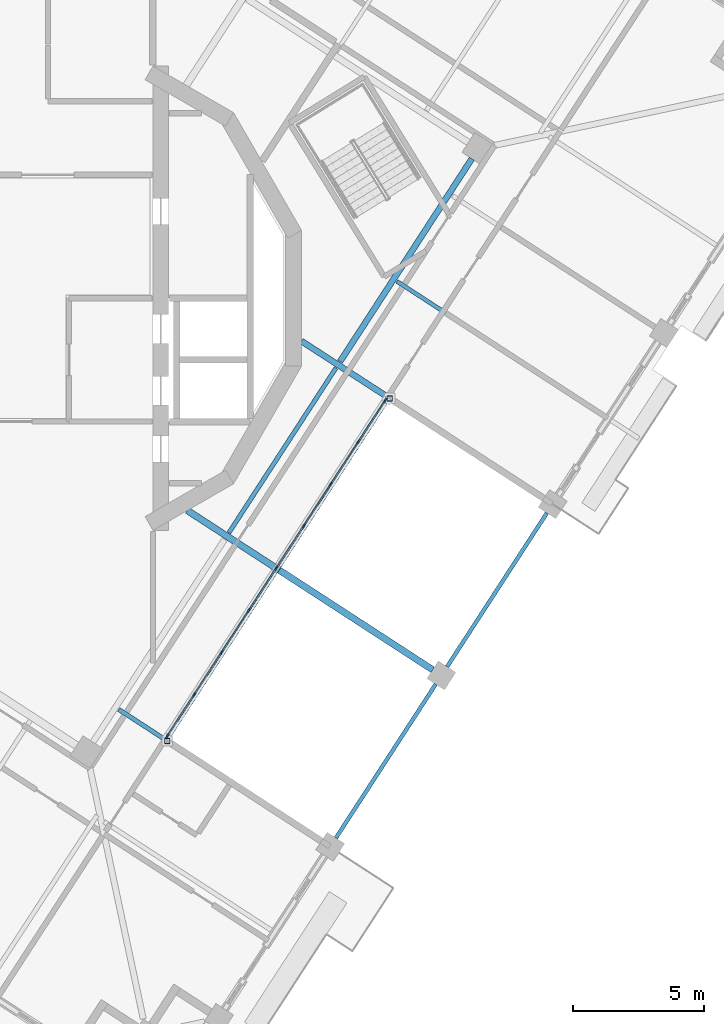
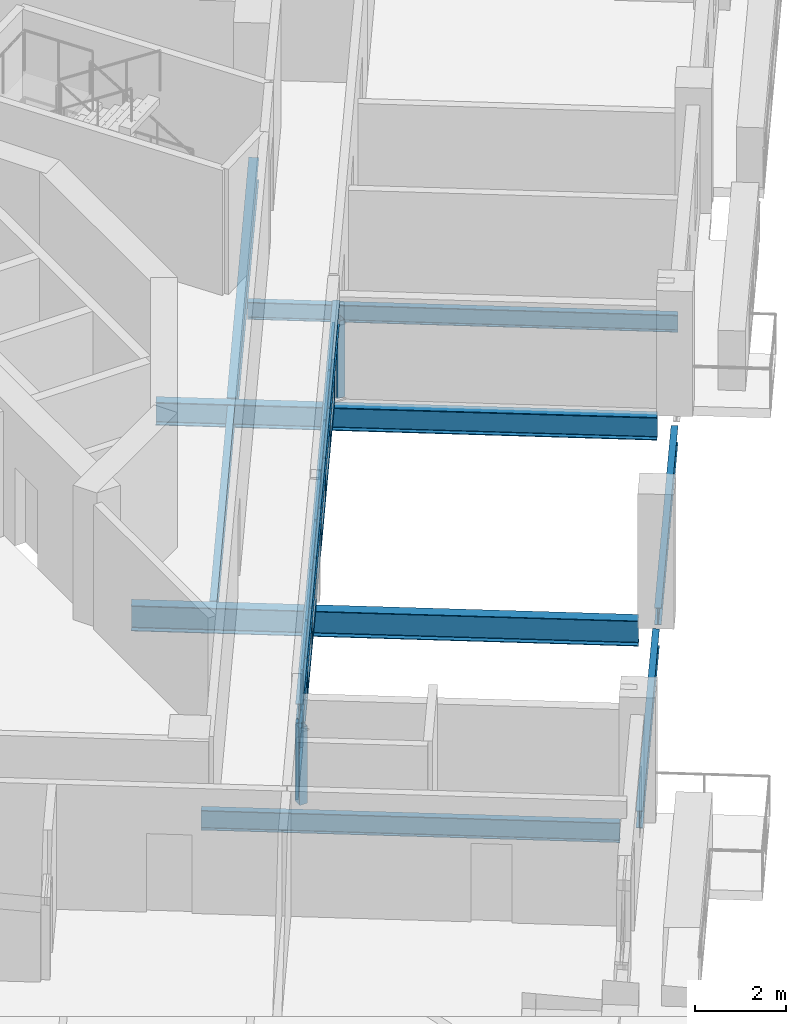
# One storey, part 2 of 17: 35 members, 9 beams, 1 element without a shape of its own.
"""IFC4 building model written with IfcOpenShell, lengths in metres."""

from ifc_helpers import new_model, si_unit, direction, frame, origin, origin_2d, place, context, subcontext, project, spatial, rectangle, hollow_rectangle, i_section, extrude, material, material_profile, profile_set, type_object, element, aggregate, save


model = new_model("IFC4")

# Units and contexts
model_context = context("Model", 3, precision=1e-05, world=origin(), true_north=direction((0.0, 1.0)))
body_context = subcontext(model_context, "Body", "Model", "MODEL_VIEW")
ifc_project = project(units=[si_unit("LENGTHUNIT", "METRE"), si_unit("AREAUNIT", "SQUARE_METRE"), si_unit("VOLUMEUNIT", "CUBIC_METRE"), si_unit("PLANEANGLEUNIT", "RADIAN"), si_unit("MASSUNIT", "GRAM", prefix="KILO")], contexts=[model_context])

# Site, building, storey
site_placement = place(None, origin())
site = spatial("IfcSite", under=ifc_project, at=site_placement, CompositionType="ELEMENT")
building_placement = place(site_placement, origin())
building = spatial("IfcBuilding", under=site, at=building_placement, Name="Cantera Rosa Tower", CompositionType="ELEMENT")
storey_placement = place(building_placement, frame((0.0, 0.0, 254.10009765625)))
storey = spatial("IfcBuildingStorey", under=building, at=storey_placement, Name="L56", CompositionType="ELEMENT", Elevation=254.10009765625)

# Curtain wall, members
ifc_material_1 = material(Name="Aluminium frame with clear glass", Category="aluminium")
curtain_wall_type = type_object("IfcCurtainWallType", Name="CW1 TERRACE POCKET GLAZING", PredefinedType="NOTDEFINED", material=ifc_material_1)
curtain_wall_placement = place(storey_placement, origin())
curtain_wall = element("IfcCurtainWall", 1, at=curtain_wall_placement, inside=storey, type_object=curtain_wall_type, Name="CW1 CW1", PredefinedType="NOTDEFINED")
ifc_material_2 = material(Name="Anodised bronze aluminium", Category="aluminium")
ifc_material_profile_1 = material_profile(ifc_material_2, rectangle(XDim=0.06005859375, YDim=0.179931640625, at=origin_2d()), Name="CW-MULLION 60x180 POCKET")
ifc_profile_set_1 = profile_set([ifc_material_profile_1], Name="Anodised bronze aluminium")
member_type_1 = type_object("IfcMemberType", Name="CW-MULLION 60x180 POCKET", PredefinedType="MULLION", material=ifc_profile_set_1)
member_1_placement = place(storey_placement, frame((4.54736328125, -16.68310546875, 0.0), z_axis=(0.0, 0.0, 1.0), x_axis=(-0.838670567964, 0.544639034986, 0.0)))
member_1 = element("IfcMember", 2, at=member_1_placement, type_object=member_type_1, Name="CW1 mullion 1", PredefinedType="MULLION", context=body_context, shape_type="SweptSolid", body=[
    extrude(rectangle(XDim=0.06005859375, YDim=0.179931640625, at=origin_2d()), origin(), (0.0, 0.0, 1.0), 2.06201171875),
])
member_2_placement = place(storey_placement, frame((5.5732421875, -15.103271484375, 0.0), z_axis=(0.0, 0.0, 1.0), x_axis=(-0.838670567964, 0.544639034986, 0.0)))
member_2 = element("IfcMember", 3, at=member_2_placement, type_object=member_type_1, Name="CW1 mullion 2", PredefinedType="MULLION", context=body_context, shape_type="SweptSolid", body=[
    extrude(rectangle(XDim=0.06005859375, YDim=0.179931640625, at=origin_2d()), origin(), (0.0, 0.0, 1.0), 2.06201171875),
])
member_3_placement = place(storey_placement, frame((6.615478515625, -13.498291015625, 0.0), z_axis=(0.0, 0.0, 1.0), x_axis=(-0.838670567964, 0.544639034986, 0.0)))
member_3 = element("IfcMember", 4, at=member_3_placement, type_object=member_type_1, Name="CW1 mullion 3", PredefinedType="MULLION", context=body_context, shape_type="SweptSolid", body=[
    extrude(rectangle(XDim=0.06005859375, YDim=0.179931640625, at=origin_2d()), origin(), (0.0, 0.0, 1.0), 2.06201171875),
])
member_4_placement = place(storey_placement, frame((7.657958984375, -11.893310546875, 0.0), z_axis=(0.0, 0.0, 1.0), x_axis=(-0.838670567964, 0.544639034986, 0.0)))
member_4 = element("IfcMember", 5, at=member_4_placement, type_object=member_type_1, Name="CW1 mullion 4", PredefinedType="MULLION", context=body_context, shape_type="SweptSolid", body=[
    extrude(rectangle(XDim=0.06005859375, YDim=0.179931640625, at=origin_2d()), origin(), (0.0, 0.0, 1.0), 2.06201171875),
])
member_5_placement = place(storey_placement, frame((8.7001953125, -10.288330078125, 0.0), z_axis=(0.0, 0.0, 1.0), x_axis=(-0.838670567964, 0.544639034986, 0.0)))
member_5 = element("IfcMember", 6, at=member_5_placement, type_object=member_type_1, Name="CW1 mullion 5", PredefinedType="MULLION", context=body_context, shape_type="SweptSolid", body=[
    extrude(rectangle(XDim=0.06005859375, YDim=0.179931640625, at=origin_2d()), origin(), (0.0, 0.0, 1.0), 2.06201171875),
])
member_6_placement = place(storey_placement, frame((9.742431640625, -8.683349609375, 0.0), z_axis=(0.0, 0.0, 1.0), x_axis=(-0.838670567964, 0.544639034986, 0.0)))
member_6 = element("IfcMember", 7, at=member_6_placement, type_object=member_type_1, Name="CW1 mullion 6", PredefinedType="MULLION", context=body_context, shape_type="SweptSolid", body=[
    extrude(rectangle(XDim=0.06005859375, YDim=0.179931640625, at=origin_2d()), origin(), (0.0, 0.0, 1.0), 2.06201171875),
])
member_7_placement = place(storey_placement, frame((10.784912109375, -7.078369140625, 0.0), z_axis=(0.0, 0.0, 1.0), x_axis=(-0.838670567964, 0.544639034986, 0.0)))
member_7 = element("IfcMember", 8, at=member_7_placement, type_object=member_type_1, Name="CW1 mullion 7", PredefinedType="MULLION", context=body_context, shape_type="SweptSolid", body=[
    extrude(rectangle(XDim=0.06005859375, YDim=0.179931640625, at=origin_2d()), origin(), (0.0, 0.0, 1.0), 2.06201171875),
])
member_8_placement = place(storey_placement, frame((11.8271484375, -5.47314453125, 0.0), z_axis=(0.0, 0.0, 1.0), x_axis=(-0.838670567964, 0.544639034986, 0.0)))
member_8 = element("IfcMember", 9, at=member_8_placement, type_object=member_type_1, Name="CW1 mullion 8", PredefinedType="MULLION", context=body_context, shape_type="SweptSolid", body=[
    extrude(rectangle(XDim=0.06005859375, YDim=0.179931640625, at=origin_2d()), origin(), (0.0, 0.0, 1.0), 2.06201171875),
])
member_9_placement = place(storey_placement, frame((12.85302734375, -3.893310546875, 0.0), z_axis=(0.0, 0.0, 1.0), x_axis=(-0.838670567964, 0.544639034986, 0.0)))
member_9 = element("IfcMember", 10, at=member_9_placement, type_object=member_type_1, Name="CW1 mullion 9", PredefinedType="MULLION", context=body_context, shape_type="SweptSolid", body=[
    extrude(rectangle(XDim=0.06005859375, YDim=0.179931640625, at=origin_2d()), origin(), (0.0, 0.0, 1.0), 2.06201171875),
])
ifc_material_3 = material(Name="Anodised bronze aluminium", Category="aluminium")
ifc_material_profile_2 = material_profile(ifc_material_3, rectangle(XDim=0.06005859375, YDim=0.139892578125, at=origin_2d()), Name="CW-TRANSOM 60x140 POCKET")
ifc_profile_set_2 = profile_set([ifc_material_profile_2], Name="Anodised bronze aluminium")
member_type_2 = type_object("IfcMemberType", Name="CW-TRANSOM 60x140 POCKET", PredefinedType="USERDEFINED", material=ifc_profile_set_2)
member_10_placement = place(storey_placement, frame((4.563720703125, -16.657958984375, 0.02978515625), z_axis=(0.544588321702, 0.838703499376, 0.0), x_axis=(-0.838703499376, 0.544588321702, 0.0)))
member_10 = element("IfcMember", 11, at=member_10_placement, type_object=member_type_2, Name="CW1 transom 1.1", ObjectType="TRANSOM", PredefinedType="USERDEFINED", context=body_context, shape_type="SweptSolid", body=[
    extrude(rectangle(XDim=0.06005859375, YDim=0.139892578125, at=origin_2d()), origin(), (0.0, 0.0, 1.0), 1.82373046875),
])
member_11_placement = place(storey_placement, frame((4.563720703125, -16.657958984375, 1.031005859375), z_axis=(0.544588321702, 0.838703499376, 0.0), x_axis=(-0.838703499376, 0.544588321702, 0.0)))
member_11 = element("IfcMember", 12, at=member_11_placement, type_object=member_type_2, Name="CW1 transom 1.2", ObjectType="TRANSOM", PredefinedType="USERDEFINED", context=body_context, shape_type="SweptSolid", body=[
    extrude(rectangle(XDim=0.06005859375, YDim=0.139892578125, at=origin_2d()), origin(), (0.0, 0.0, 1.0), 1.82373046875),
])
member_12_placement = place(storey_placement, frame((4.563720703125, -16.657958984375, 2.031982421875), z_axis=(0.544588321702, 0.838703499376, 0.0), x_axis=(-0.838703499376, 0.544588321702, 0.0)))
member_12 = element("IfcMember", 13, at=member_12_placement, type_object=member_type_2, Name="CW1 transom 1.3", ObjectType="TRANSOM", PredefinedType="USERDEFINED", context=body_context, shape_type="SweptSolid", body=[
    extrude(rectangle(XDim=0.06005859375, YDim=0.139892578125, at=origin_2d()), origin(), (0.0, 0.0, 1.0), 1.82373046875),
])
member_13_placement = place(storey_placement, frame((5.589599609375, -15.078125, 0.02978515625), z_axis=(0.544692059849, 0.838636130832, 0.0), x_axis=(-0.838636130832, 0.544692059849, 0.0)))
member_13 = element("IfcMember", 14, at=member_13_placement, type_object=member_type_2, Name="CW1 transom 2.1", ObjectType="TRANSOM", PredefinedType="USERDEFINED", context=body_context, shape_type="SweptSolid", body=[
    extrude(rectangle(XDim=0.06005859375, YDim=0.139892578125, at=origin_2d()), origin(), (0.0, 0.0, 1.0), 1.853759765625),
])
member_14_placement = place(storey_placement, frame((5.589599609375, -15.078125, 1.031005859375), z_axis=(0.544692059849, 0.838636130832, 0.0), x_axis=(-0.838636130832, 0.544692059849, 0.0)))
member_14 = element("IfcMember", 15, at=member_14_placement, type_object=member_type_2, Name="CW1 transom 2.2", ObjectType="TRANSOM", PredefinedType="USERDEFINED", context=body_context, shape_type="SweptSolid", body=[
    extrude(rectangle(XDim=0.06005859375, YDim=0.139892578125, at=origin_2d()), origin(), (0.0, 0.0, 1.0), 1.853759765625),
])
member_15_placement = place(storey_placement, frame((5.589599609375, -15.078125, 2.031982421875), z_axis=(0.544692059849, 0.838636130832, 0.0), x_axis=(-0.838636130832, 0.544692059849, 0.0)))
member_15 = element("IfcMember", 16, at=member_15_placement, type_object=member_type_2, Name="CW1 transom 2.3", ObjectType="TRANSOM", PredefinedType="USERDEFINED", context=body_context, shape_type="SweptSolid", body=[
    extrude(rectangle(XDim=0.06005859375, YDim=0.139892578125, at=origin_2d()), origin(), (0.0, 0.0, 1.0), 1.853759765625),
])
member_16_placement = place(storey_placement, frame((6.6318359375, -13.47314453125, 0.02978515625), z_axis=(0.544692059849, 0.838636130832, 0.0), x_axis=(-0.838636130832, 0.544692059849, 0.0)))
member_16 = element("IfcMember", 17, at=member_16_placement, type_object=member_type_2, Name="CW1 transom 3.1", ObjectType="TRANSOM", PredefinedType="USERDEFINED", context=body_context, shape_type="SweptSolid", body=[
    extrude(rectangle(XDim=0.06005859375, YDim=0.139892578125, at=origin_2d()), origin(), (0.0, 0.0, 1.0), 1.853759765625),
])
member_17_placement = place(storey_placement, frame((6.6318359375, -13.47314453125, 1.031005859375), z_axis=(0.544692059849, 0.838636130832, 0.0), x_axis=(-0.838636130832, 0.544692059849, 0.0)))
member_17 = element("IfcMember", 18, at=member_17_placement, type_object=member_type_2, Name="CW1 transom 3.2", ObjectType="TRANSOM", PredefinedType="USERDEFINED", context=body_context, shape_type="SweptSolid", body=[
    extrude(rectangle(XDim=0.06005859375, YDim=0.139892578125, at=origin_2d()), origin(), (0.0, 0.0, 1.0), 1.853759765625),
])
member_18_placement = place(storey_placement, frame((6.6318359375, -13.47314453125, 2.031982421875), z_axis=(0.544692059849, 0.838636130832, 0.0), x_axis=(-0.838636130832, 0.544692059849, 0.0)))
member_18 = element("IfcMember", 19, at=member_18_placement, type_object=member_type_2, Name="CW1 transom 3.3", ObjectType="TRANSOM", PredefinedType="USERDEFINED", context=body_context, shape_type="SweptSolid", body=[
    extrude(rectangle(XDim=0.06005859375, YDim=0.139892578125, at=origin_2d()), origin(), (0.0, 0.0, 1.0), 1.853759765625),
])
member_19_placement = place(storey_placement, frame((7.67431640625, -11.8681640625, 0.02978515625), z_axis=(0.544599427137, 0.838696288273, 0.0), x_axis=(-0.838696288273, 0.544599427137, 0.0)))
member_19 = element("IfcMember", 20, at=member_19_placement, type_object=member_type_2, Name="CW1 transom 4.1", ObjectType="TRANSOM", PredefinedType="USERDEFINED", context=body_context, shape_type="SweptSolid", body=[
    extrude(rectangle(XDim=0.06005859375, YDim=0.139892578125, at=origin_2d()), origin(), (0.0, 0.0, 1.0), 1.853759765625),
])
member_20_placement = place(storey_placement, frame((7.67431640625, -11.8681640625, 1.031005859375), z_axis=(0.544599427137, 0.838696288273, 0.0), x_axis=(-0.838696288273, 0.544599427137, 0.0)))
member_20 = element("IfcMember", 21, at=member_20_placement, type_object=member_type_2, Name="CW1 transom 4.2", ObjectType="TRANSOM", PredefinedType="USERDEFINED", context=body_context, shape_type="SweptSolid", body=[
    extrude(rectangle(XDim=0.06005859375, YDim=0.139892578125, at=origin_2d()), origin(), (0.0, 0.0, 1.0), 1.853759765625),
])
member_21_placement = place(storey_placement, frame((7.67431640625, -11.8681640625, 2.031982421875), z_axis=(0.544599427137, 0.838696288273, 0.0), x_axis=(-0.838696288273, 0.544599427137, 0.0)))
member_21 = element("IfcMember", 22, at=member_21_placement, type_object=member_type_2, Name="CW1 transom 4.3", ObjectType="TRANSOM", PredefinedType="USERDEFINED", context=body_context, shape_type="SweptSolid", body=[
    extrude(rectangle(XDim=0.06005859375, YDim=0.139892578125, at=origin_2d()), origin(), (0.0, 0.0, 1.0), 1.853759765625),
])
member_22_placement = place(storey_placement, frame((8.716552734375, -10.26318359375, 0.02978515625), z_axis=(0.544599427137, 0.838696288273, 0.0), x_axis=(-0.838696288273, 0.544599427137, 0.0)))
member_22 = element("IfcMember", 23, at=member_22_placement, type_object=member_type_2, Name="CW1 transom 5.1", ObjectType="TRANSOM", PredefinedType="USERDEFINED", context=body_context, shape_type="SweptSolid", body=[
    extrude(rectangle(XDim=0.06005859375, YDim=0.139892578125, at=origin_2d()), origin(), (0.0, 0.0, 1.0), 1.853759765625),
])
member_23_placement = place(storey_placement, frame((8.716552734375, -10.26318359375, 1.031005859375), z_axis=(0.544599427137, 0.838696288273, 0.0), x_axis=(-0.838696288273, 0.544599427137, 0.0)))
member_23 = element("IfcMember", 24, at=member_23_placement, type_object=member_type_2, Name="CW1 transom 5.2", ObjectType="TRANSOM", PredefinedType="USERDEFINED", context=body_context, shape_type="SweptSolid", body=[
    extrude(rectangle(XDim=0.06005859375, YDim=0.139892578125, at=origin_2d()), origin(), (0.0, 0.0, 1.0), 1.853759765625),
])
member_24_placement = place(storey_placement, frame((8.716552734375, -10.26318359375, 2.031982421875), z_axis=(0.544599427137, 0.838696288273, 0.0), x_axis=(-0.838696288273, 0.544599427137, 0.0)))
member_24 = element("IfcMember", 25, at=member_24_placement, type_object=member_type_2, Name="CW1 transom 5.3", ObjectType="TRANSOM", PredefinedType="USERDEFINED", context=body_context, shape_type="SweptSolid", body=[
    extrude(rectangle(XDim=0.06005859375, YDim=0.139892578125, at=origin_2d()), origin(), (0.0, 0.0, 1.0), 1.853759765625),
])
member_25_placement = place(storey_placement, frame((9.7587890625, -8.658203125, 0.02978515625), z_axis=(0.544692059849, 0.838636130832, 0.0), x_axis=(-0.838636130832, 0.544692059849, 0.0)))
member_25 = element("IfcMember", 26, at=member_25_placement, type_object=member_type_2, Name="CW1 transom 6.1", ObjectType="TRANSOM", PredefinedType="USERDEFINED", context=body_context, shape_type="SweptSolid", body=[
    extrude(rectangle(XDim=0.06005859375, YDim=0.139892578125, at=origin_2d()), origin(), (0.0, 0.0, 1.0), 1.853759765625),
])
member_26_placement = place(storey_placement, frame((9.7587890625, -8.658203125, 1.031005859375), z_axis=(0.544692059849, 0.838636130832, 0.0), x_axis=(-0.838636130832, 0.544692059849, 0.0)))
member_26 = element("IfcMember", 27, at=member_26_placement, type_object=member_type_2, Name="CW1 transom 6.2", ObjectType="TRANSOM", PredefinedType="USERDEFINED", context=body_context, shape_type="SweptSolid", body=[
    extrude(rectangle(XDim=0.06005859375, YDim=0.139892578125, at=origin_2d()), origin(), (0.0, 0.0, 1.0), 1.853759765625),
])
member_27_placement = place(storey_placement, frame((9.7587890625, -8.658203125, 2.031982421875), z_axis=(0.544692059849, 0.838636130832, 0.0), x_axis=(-0.838636130832, 0.544692059849, 0.0)))
member_27 = element("IfcMember", 28, at=member_27_placement, type_object=member_type_2, Name="CW1 transom 6.3", ObjectType="TRANSOM", PredefinedType="USERDEFINED", context=body_context, shape_type="SweptSolid", body=[
    extrude(rectangle(XDim=0.06005859375, YDim=0.139892578125, at=origin_2d()), origin(), (0.0, 0.0, 1.0), 1.853759765625),
])
member_28_placement = place(storey_placement, frame((10.80126953125, -7.052978515625, 0.02978515625), z_axis=(0.544659589021, 0.83865721966, 0.0), x_axis=(-0.83865721966, 0.544659589021, 0.0)))
member_28 = element("IfcMember", 29, at=member_28_placement, type_object=member_type_2, Name="CW1 transom 7.1", ObjectType="TRANSOM", PredefinedType="USERDEFINED", context=body_context, shape_type="SweptSolid", body=[
    extrude(rectangle(XDim=0.06005859375, YDim=0.139892578125, at=origin_2d()), origin(), (0.0, 0.0, 1.0), 1.853515625),
])
member_29_placement = place(storey_placement, frame((10.80126953125, -7.052978515625, 1.031005859375), z_axis=(0.544659589021, 0.83865721966, 0.0), x_axis=(-0.83865721966, 0.544659589021, 0.0)))
member_29 = element("IfcMember", 30, at=member_29_placement, type_object=member_type_2, Name="CW1 transom 7.2", ObjectType="TRANSOM", PredefinedType="USERDEFINED", context=body_context, shape_type="SweptSolid", body=[
    extrude(rectangle(XDim=0.06005859375, YDim=0.139892578125, at=origin_2d()), origin(), (0.0, 0.0, 1.0), 1.853515625),
])
member_30_placement = place(storey_placement, frame((10.80126953125, -7.052978515625, 2.031982421875), z_axis=(0.544659589021, 0.83865721966, 0.0), x_axis=(-0.83865721966, 0.544659589021, 0.0)))
member_30 = element("IfcMember", 31, at=member_30_placement, type_object=member_type_2, Name="CW1 transom 7.3", ObjectType="TRANSOM", PredefinedType="USERDEFINED", context=body_context, shape_type="SweptSolid", body=[
    extrude(rectangle(XDim=0.06005859375, YDim=0.139892578125, at=origin_2d()), origin(), (0.0, 0.0, 1.0), 1.853515625),
])
member_31_placement = place(storey_placement, frame((11.843505859375, -5.447998046875, 0.02978515625), z_axis=(0.544588321702, 0.838703499376, 0.0), x_axis=(-0.838703499376, 0.544588321702, 0.0)))
member_31 = element("IfcMember", 32, at=member_31_placement, type_object=member_type_2, Name="CW1 transom 8.1", ObjectType="TRANSOM", PredefinedType="USERDEFINED", context=body_context, shape_type="SweptSolid", body=[
    extrude(rectangle(XDim=0.06005859375, YDim=0.139892578125, at=origin_2d()), origin(), (0.0, 0.0, 1.0), 1.82373046875),
])
member_32_placement = place(storey_placement, frame((11.843505859375, -5.447998046875, 1.031005859375), z_axis=(0.544588321702, 0.838703499376, 0.0), x_axis=(-0.838703499376, 0.544588321702, 0.0)))
member_32 = element("IfcMember", 33, at=member_32_placement, type_object=member_type_2, Name="CW1 transom 8.2", ObjectType="TRANSOM", PredefinedType="USERDEFINED", context=body_context, shape_type="SweptSolid", body=[
    extrude(rectangle(XDim=0.06005859375, YDim=0.139892578125, at=origin_2d()), origin(), (0.0, 0.0, 1.0), 1.82373046875),
])
member_33_placement = place(storey_placement, frame((11.843505859375, -5.447998046875, 2.031982421875), z_axis=(0.544588321702, 0.838703499376, 0.0), x_axis=(-0.838703499376, 0.544588321702, 0.0)))
member_33 = element("IfcMember", 34, at=member_33_placement, type_object=member_type_2, Name="CW1 transom 8.3", ObjectType="TRANSOM", PredefinedType="USERDEFINED", context=body_context, shape_type="SweptSolid", body=[
    extrude(rectangle(XDim=0.06005859375, YDim=0.139892578125, at=origin_2d()), origin(), (0.0, 0.0, 1.0), 1.82373046875),
])
aggregate(curtain_wall, [member_1, member_2, member_3, member_4, member_5, member_6, member_7, member_8, member_9, member_10, member_11, member_12, member_13, member_14, member_15, member_16, member_17, member_18, member_19, member_20, member_21, member_22, member_23, member_24, member_25, member_26, member_27, member_28, member_29, member_30, member_31, member_32, member_33])

# Members
ifc_material_4 = material(Name="Steel ASTM A992 (Fy 345 MPa)", Category="steel")
ifc_material_profile_3 = material_profile(ifc_material_4, hollow_rectangle(XDim=0.199951171875, YDim=0.199951171875, WallThickness=0.010009765625, at=origin_2d()), Name="LINTEL POST RHS 200x200x10")
ifc_profile_set_3 = profile_set([ifc_material_profile_3], Name="Steel ASTM A992 (Fy 345 MPa)")
member_type_3 = type_object("IfcMemberType", Name="LINTEL POST RHS 200x200x10", PredefinedType="USERDEFINED", material=ifc_profile_set_3)
for number, where, z_axis, x_axis, name in (
    (35, (4.546875, -16.86767578125, 0.0), (0.0, 0.0, 1.0), (1.0, 0.0, 0.0), "LINTEL POST L56-1"),
    (36, (13.021484375, -3.81787109375, 0.0), (0.0, 0.0, 1.0), (1.0, 0.0, 0.0), "LINTEL POST L56-2"),
):
    element("IfcMember", number, at=place(storey_placement, frame(where, z_axis=z_axis, x_axis=x_axis)), inside=storey, type_object=member_type_3, Name=name, ObjectType="LINTEL POST", PredefinedType="USERDEFINED", context=body_context, shape_type="SweptSolid", body=[
        extrude(hollow_rectangle(XDim=0.199951171875, YDim=0.199951171875, WallThickness=0.010009765625, at=origin_2d()), origin(), (0.0, 0.0, 1.0), 2.06396484375),
    ])

# Beams
ifc_material_5 = material(Name="Steel ASTM A992 (Fy 345 MPa)", Category="steel")
ifc_material_profile_4 = material_profile(ifc_material_5, i_section(OverallWidth=0.166015625, OverallDepth=0.528076171875, WebThickness=0.009765625, FlangeThickness=0.013671875, FilletRadius=0.0126953125, at=origin_2d()), Name="W530X74")
ifc_profile_set_4 = profile_set([ifc_material_profile_4], Name="Steel ASTM A992 (Fy 345 MPa)")
beam_type_1 = type_object("IfcBeamType", Name="STEEL BEAM W530X74", PredefinedType="BEAM", material=ifc_profile_set_4)
beam_1_placement = place(storey_placement, frame((10.41748046875, -20.68017578125, -0.51416015625), z_axis=(-0.838669083999, 0.544641320086, 0.0), x_axis=(-0.544641320086, -0.838669083999, 0.0)))
element("IfcBeam", 37, at=beam_1_placement, inside=storey, type_object=beam_type_1, Name="G-Z5-08 L56", PredefinedType="BEAM", context=body_context, shape_type="SweptSolid", body=[
    extrude(i_section(OverallWidth=0.166015625, OverallDepth=0.528076171875, WebThickness=0.009765625, FlangeThickness=0.013671875, FilletRadius=0.0126953125, at=origin_2d()), origin(), (0.0, 0.0, 1.0), 9.2001953125),
])
beam_2_placement = place(storey_placement, frame((6.894775390625, -8.93701171875, -0.51416015625), z_axis=(0.544649868382, 0.838663532575, 0.0), x_axis=(-0.838663532575, 0.544649868382, 0.0)))
element("IfcBeam", 38, at=beam_2_placement, inside=storey, type_object=beam_type_1, Name="RB-Z5-05 L56", PredefinedType="BEAM", context=body_context, shape_type="SweptSolid", body=[
    extrude(i_section(OverallWidth=0.166015625, OverallDepth=0.528076171875, WebThickness=0.009765625, FlangeThickness=0.013671875, FilletRadius=0.0126953125, at=origin_2d()), origin(), (0.0, 0.0, 1.0), 7.47998046875),
])
beam_3_placement = place(storey_placement, frame((4.531982421875, -16.79833984375, 2.327880859375), z_axis=(0.544641940052, 0.838668681385, 0.0), x_axis=(-0.838668681385, 0.544641940052, 0.0)))
element("IfcBeam", 39, at=beam_3_placement, inside=storey, type_object=beam_type_1, Name="LINTEL SL-L56", PredefinedType="BEAM", context=body_context, shape_type="SweptSolid", body=[
    extrude(i_section(OverallWidth=0.166015625, OverallDepth=0.528076171875, WebThickness=0.009765625, FlangeThickness=0.013671875, FilletRadius=0.0126953125, at=origin_2d()), origin(), (0.0, 0.0, 1.0), 15.4599609375),
])
ifc_material_6 = material(Name="Steel ASTM A992 (Fy 345 MPa)", Category="steel")
ifc_material_profile_5 = material_profile(ifc_material_6, i_section(OverallWidth=0.22802734375, OverallDepth=0.60205078125, WebThickness=0.010498046875, FlangeThickness=0.014892578125, FilletRadius=0.0126953125, at=origin_2d()), Name="W610X101")
ifc_profile_set_5 = profile_set([ifc_material_profile_5], Name="Steel ASTM A992 (Fy 345 MPa)")
beam_type_2 = type_object("IfcBeamType", Name="STEEL BEAM W610X101", PredefinedType="BEAM", material=ifc_profile_set_5)
beam_4_placement = place(storey_placement, frame((11.132080078125, -2.412109375, -0.551025390625), z_axis=(0.54463982867, 0.838670052539, 0.0), x_axis=(-0.838670052539, 0.54463982867, 0.0)))
element("IfcBeam", 40, at=beam_4_placement, inside=storey, type_object=beam_type_2, Name="RB-Z5-06 L56", PredefinedType="BEAM", context=body_context, shape_type="SweptSolid", body=[
    extrude(i_section(OverallWidth=0.22802734375, OverallDepth=0.60205078125, WebThickness=0.010498046875, FlangeThickness=0.014892578125, FilletRadius=0.0126953125, at=origin_2d()), origin(), (0.0, 0.0, 1.0), 9.2099609375),
])
ifc_material_7 = material(Name="Steel ASTM A992 (Fy 345 MPa)", Category="steel")
ifc_material_profile_6 = material_profile(ifc_material_7, i_section(OverallWidth=0.22900390625, OverallDepth=0.612060546875, WebThickness=0.011962890625, FlangeThickness=0.01953125, FilletRadius=0.0126953125, at=origin_2d()), Name="W610X125")
ifc_profile_set_6 = profile_set([ifc_material_profile_6], Name="Steel ASTM A992 (Fy 345 MPa)")
beam_type_3 = type_object("IfcBeamType", Name="STEEL BEAM W610X125", PredefinedType="BEAM", material=ifc_profile_set_6)
beam_5_placement = place(storey_placement, frame((18.89208984375, -7.63037109375, -0.55615234375), z_axis=(-0.838673569952, 0.544634412302, 0.0), x_axis=(-0.544634412302, -0.838673569952, 0.0)))
element("IfcBeam", 41, at=beam_5_placement, inside=storey, type_object=beam_type_3, Name="G-Z5-10 L56", PredefinedType="BEAM", context=body_context, shape_type="SweptSolid", body=[
    extrude(i_section(OverallWidth=0.22900390625, OverallDepth=0.612060546875, WebThickness=0.011962890625, FlangeThickness=0.01953125, FilletRadius=0.0126953125, at=origin_2d()), origin(), (0.0, 0.0, 1.0), 11.009033203125),
])
ifc_material_8 = material(Name="Steel ASTM A992 (Fy 345 MPa)", Category="steel")
ifc_material_profile_7 = material_profile(ifc_material_8, i_section(OverallWidth=0.25390625, OverallDepth=0.677978515625, WebThickness=0.01171875, FlangeThickness=0.016357421875, FilletRadius=0.01513671875, at=origin_2d()), Name="W690X125")
ifc_profile_set_7 = profile_set([ifc_material_profile_7], Name="Steel ASTM A992 (Fy 345 MPa)")
beam_type_4 = type_object("IfcBeamType", Name="STEEL BEAM W690X125", PredefinedType="BEAM", material=ifc_profile_set_7)
beam_6_placement = place(storey_placement, frame((14.65478515625, -14.1552734375, -0.589111328125), z_axis=(-0.838661833747, 0.544652484265, 0.0), x_axis=(-0.544652484265, -0.838661833747, 0.0)))
element("IfcBeam", 42, at=beam_6_placement, inside=storey, type_object=beam_type_4, Name="G-Z5-09 L56", PredefinedType="BEAM", context=body_context, shape_type="SweptSolid", body=[
    extrude(i_section(OverallWidth=0.25390625, OverallDepth=0.677978515625, WebThickness=0.01171875, FlangeThickness=0.016357421875, FilletRadius=0.01513671875, at=origin_2d()), origin(), (0.0, 0.0, 1.0), 11.141357421875),
])
ifc_material_9 = material(Name="Steel ASTM A992 (Fy 345 MPa)", Category="steel")
ifc_material_profile_8 = material_profile(ifc_material_9, i_section(OverallWidth=0.154052734375, OverallDepth=0.4599609375, WebThickness=0.009033203125, FlangeThickness=0.015380859375, FilletRadius=0.01025390625, at=origin_2d()), Name="W460X68")
ifc_profile_set_8 = profile_set([ifc_material_profile_8], Name="Steel ASTM A992 (Fy 345 MPa)")
beam_type_5 = type_object("IfcBeamType", Name="STEEL JOIST W460X68", PredefinedType="JOIST", material=ifc_profile_set_8)
beam_7_placement = place(storey_placement, frame((21.220458984375, -4.504150390625, -0.47998046875), z_axis=(-0.838667248419, 0.544644146603, 0.0), x_axis=(-0.544644146603, -0.838667248419, 0.0)))
element("IfcBeam", 43, at=beam_7_placement, inside=storey, type_object=beam_type_5, Name="B-Z5-13 L56", PredefinedType="JOIST", context=body_context, shape_type="SweptSolid", body=[
    extrude(i_section(OverallWidth=0.154052734375, OverallDepth=0.4599609375, WebThickness=0.009033203125, FlangeThickness=0.015380859375, FilletRadius=0.01025390625, at=origin_2d()), origin(), (0.0, 0.0, 1.0), 9.4501953125),
])
ifc_material_10 = material(Name="Steel ASTM A992 (Fy 345 MPa)", Category="steel")
ifc_material_profile_9 = material_profile(ifc_material_10, i_section(OverallWidth=0.154052734375, OverallDepth=0.4599609375, WebThickness=0.009033203125, FlangeThickness=0.015380859375, FilletRadius=0.01025390625, at=origin_2d()), Name="W460X68")
ifc_profile_set_9 = profile_set([ifc_material_profile_9], Name="Steel ASTM A992 (Fy 345 MPa)")
beam_type_6 = type_object("IfcBeamType", Name="STEEL SPANDREL BEAM W460X68", PredefinedType="SPANDREL", material=ifc_profile_set_9)
for number, where, z_axis, x_axis, name in (
    (44, (10.970703125, -20.5625, -0.47998046875), (0.544651451949, 0.838662504164, 0.0), (-0.838662504164, 0.544651451949, 0.0), "EB-Z5-21 L56"),
    (45, (15.2080078125, -14.03759765625, -0.47998046875), (0.544651451949, 0.838662504164, 0.0), (-0.838662504164, 0.544651451949, 0.0), "EB-Z5-22 L56"),
):
    element("IfcBeam", number, at=place(storey_placement, frame(where, z_axis=z_axis, x_axis=x_axis)), inside=storey, type_object=beam_type_6, Name=name, PredefinedType="SPANDREL", context=body_context, shape_type="SweptSolid", body=[
        extrude(i_section(OverallWidth=0.154052734375, OverallDepth=0.4599609375, WebThickness=0.009033203125, FlangeThickness=0.015380859375, FilletRadius=0.01025390625, at=origin_2d()), origin(), (0.0, 0.0, 1.0), 6.980224609375),
    ])

save(model, "model.ifc")
